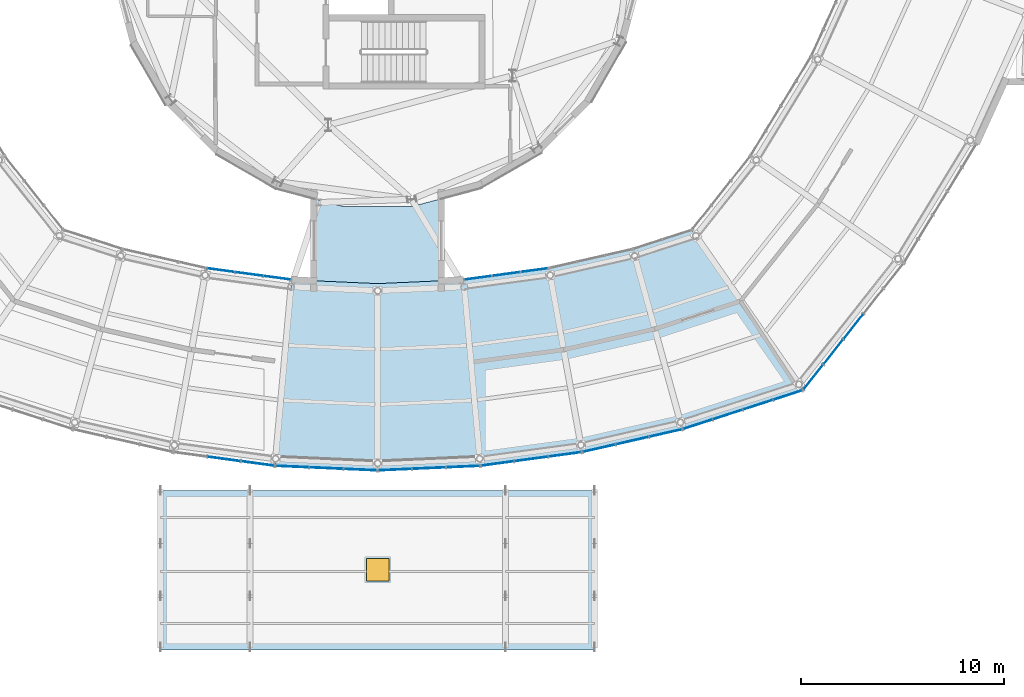
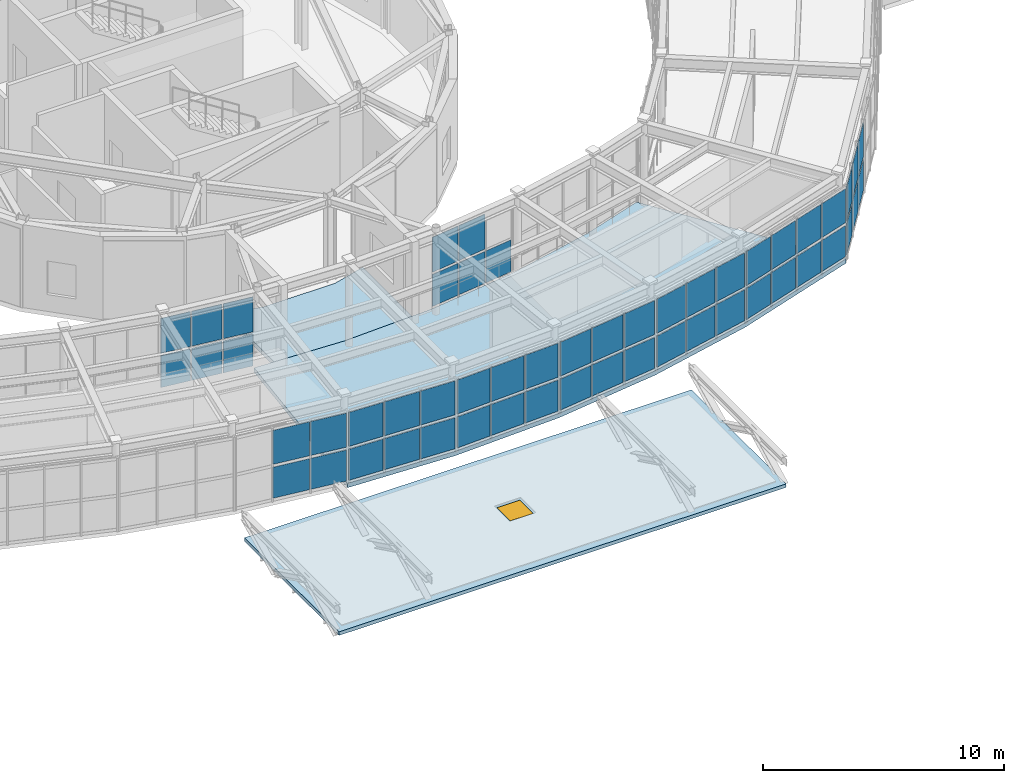
# One storey, part 59 of 103: 53 plates, 3 slabs, 1 door, 1 opening, 9 elements without a shape of their own.
"""IFC4 building model written with IfcOpenShell, lengths in metres."""

import ifcopenshell
import ifcopenshell.guid

model = None  # the IFC model being written
_history = None  # IfcOwnerHistory: only IFC2X3 demands one
_inside = {}  # id of a spatial element -> (the spatial element, [elements in it])
_under = {}  # id of a project, library or spatial element -> (it, [spatial elements below it])
_declared = {}  # id of a project -> (the project, [libraries it declares])
_typed = {}  # id of a type object -> (the type object, [elements of that type])
_made_of = {}  # id of a material, layer set ... -> (it, [elements and type objects made of it])


def new_model(schema):
    """Start an empty IFC model of exactly this schema.

    Asked for "IFC4X3", IfcOpenShell would pick the latest addendum, in which some entities
    have other attributes; the version numbers below select the first issue.
    IFC2X3 requires an IfcOwnerHistory on every rooted entity: one is made here for all.
    """
    global model, _history
    if schema == "IFC4X3":
        model = ifcopenshell.file(schema_version=(4, 3, 0, 0))
    else:
        model = ifcopenshell.file(schema=schema)
    _inside.clear()
    _under.clear()
    _declared.clear()
    _typed.clear()
    _made_of.clear()
    _history = None
    if model.schema == "IFC2X3":
        org = make("IfcOrganization", Name="unknown")
        user = make(
            "IfcPersonAndOrganization",
            ThePerson=make("IfcPerson", FamilyName="unknown"),
            TheOrganization=org,
        )
        app = make(
            "IfcApplication",
            ApplicationDeveloper=org,
            Version="unknown",
            ApplicationFullName="unknown",
            ApplicationIdentifier="unknown",
        )
        _history = make(
            "IfcOwnerHistory",
            OwningUser=user,
            OwningApplication=app,
            ChangeAction="ADDED",
            CreationDate=0,
        )
    return model


def make(cls, **values):
    """One entity of the class cls with the attributes given. An attribute that is None is left unset."""
    return model.create_entity(
        cls, **{name: value for name, value in values.items() if value is not None}
    )


def rooted(cls, **values):
    """An entity with a GlobalId (a new one), such as an element, a storey or a relation."""
    return make(cls, GlobalId=ifcopenshell.guid.new(), OwnerHistory=_history, **values)


def si_unit(unit_type, name, prefix=None):
    """IfcSIUnit, for example si_unit("LENGTHUNIT", "METRE", prefix="MILLI")."""
    return make("IfcSIUnit", UnitType=unit_type, Prefix=prefix, Name=name)


def assignment(units):
    """IfcUnitAssignment: the units of a project."""
    return None if units is None else make("IfcUnitAssignment", Units=units)


def point(xyz):
    """IfcCartesianPoint."""
    return None if xyz is None else make("IfcCartesianPoint", Coordinates=xyz)


def direction(xyz):
    """IfcDirection."""
    return None if xyz is None else make("IfcDirection", DirectionRatios=xyz)


def frame(location, z_axis=None, x_axis=None):
    """IfcAxis2Placement3D, a coordinate frame: its origin and axes. An axis left out is left unset."""
    return make(
        "IfcAxis2Placement3D",
        Location=point(location),
        Axis=direction(z_axis),
        RefDirection=direction(x_axis),
    )


def frame_2d(location, x_axis=None):
    """IfcAxis2Placement2D, a coordinate frame in the plane: its origin and x axis."""
    return make(
        "IfcAxis2Placement2D", Location=point(location), RefDirection=direction(x_axis)
    )


def origin():
    """The frame at (0, 0, 0) with its axes left unset."""
    return frame((0.0, 0.0, 0.0))


def origin_2d():
    """The frame at (0, 0) in the plane with its x axis left unset."""
    return frame_2d((0.0, 0.0))


def place(relative_to, where):
    """IfcLocalPlacement: puts the frame where relative to a parent placement (None: the world)."""
    return make(
        "IfcLocalPlacement", PlacementRelTo=relative_to, RelativePlacement=where
    )


def context(
    kind, dimensions, precision=None, world=None, true_north=None, identifier=None
):
    """IfcGeometricRepresentationContext, for example the 3D "Model" context."""
    return make(
        "IfcGeometricRepresentationContext",
        ContextIdentifier=identifier,
        ContextType=kind,
        CoordinateSpaceDimension=dimensions,
        Precision=precision,
        WorldCoordinateSystem=world,
        TrueNorth=true_north,
    )


def subcontext(parent, identifier, kind, view, scale=None):
    """IfcGeometricRepresentationSubContext, for example "Body" below "Model"."""
    return make(
        "IfcGeometricRepresentationSubContext",
        ContextIdentifier=identifier,
        ContextType=kind,
        ParentContext=parent,
        TargetScale=scale,
        TargetView=view,
    )


def project(units=None, contexts=None):
    """IfcProject with its units and contexts."""
    return rooted(
        "IfcProject",
        Name="project",
        RepresentationContexts=contexts,
        UnitsInContext=assignment(units),
    )


def spatial(cls, under=None, at=None, **own):
    """A site, building, storey or space (cls), placed at a placement, below another one or the project."""
    s = rooted(cls, ObjectPlacement=at, **own)
    if under is not None:
        _under.setdefault(under.id(), (under, []))[1].append(s)
    return s


def polyline(points):
    """IfcPolyline through the points."""
    return make("IfcPolyline", Points=[point(p) for p in points])


def profile(cls, at=None, kind="AREA", **sizes):
    """A parametric profile (cls). Its sizes go by their IFC names, for example OverallWidth=200.0."""
    return make(cls, ProfileType=kind, Position=at, **sizes)


def rectangle(**sizes):
    """IfcRectangleProfileDef."""
    return profile("IfcRectangleProfileDef", **sizes)


def outline(outer, holes=None, kind="AREA"):
    """IfcArbitraryClosedProfileDef: a profile drawn as a closed curve; with holes, ...WithVoids."""
    if holes is None:
        return make("IfcArbitraryClosedProfileDef", ProfileType=kind, OuterCurve=outer)
    return make(
        "IfcArbitraryProfileDefWithVoids",
        ProfileType=kind,
        OuterCurve=outer,
        InnerCurves=holes,
    )


def extrude(swept, where, along, depth):
    """IfcExtrudedAreaSolid: the profile swept, set in the frame where, extruded along a direction by depth."""
    return make(
        "IfcExtrudedAreaSolid",
        SweptArea=swept,
        Position=where,
        ExtrudedDirection=direction(along),
        Depth=depth,
    )


def shape(context_of_items, identifier, shape_type, items):
    """IfcShapeRepresentation: the items that make up one representation, for example the "Body"."""
    return make(
        "IfcShapeRepresentation",
        ContextOfItems=context_of_items,
        RepresentationIdentifier=identifier,
        RepresentationType=shape_type,
        Items=items,
    )


def material(Name=None, Category=None):
    """IfcMaterial."""
    return make("IfcMaterial", Name=Name, Category=Category)


def layer(
    of_material, thickness, ventilated=None, Name=None, Category=None, Priority=None
):
    """IfcMaterialLayer: one layer of a wall or slab, of a material (None: an air gap)."""
    return make(
        "IfcMaterialLayer",
        Material=of_material,
        LayerThickness=thickness,
        IsVentilated=ventilated,
        Name=Name,
        Category=Category,
        Priority=Priority,
    )


def layer_set(layers, Name=None):
    """IfcMaterialLayerSet."""
    return make("IfcMaterialLayerSet", MaterialLayers=layers, LayerSetName=Name)


def made_of(thing, what):
    """Note that an element or type object is made of a material, layer set ...; save() writes the relation."""
    if what is not None:
        _made_of.setdefault(what.id(), (what, []))[1].append(thing)
    return thing


def type_object(cls, material=None, **own):
    """A type object (cls), such as IfcWallType, which elements share."""
    return made_of(rooted(cls, **own), material)


def element(
    cls,
    number,
    at=None,
    inside=None,
    cuts=None,
    type_object=None,
    material=None,
    context=None,
    identifier="Body",
    shape_type=None,
    held_by="IfcProductDefinitionShape",
    body=None,
    shapes=None,
    **own,
):
    """One element of the class cls, such as IfcWall. Its Tag is "e" and its number.

    at: its placement. inside: the storey or other place that contains it. cuts: it is an
    opening in that element (IfcRelVoidsElement). A single representation is given by context,
    identifier, shape_type and body (its items); several are given by shapes. held_by: the class
    of the entity that holds the representations. save() writes the other relations.
    """
    e = rooted(cls, Tag="e%d" % number, ObjectPlacement=at, **own)
    if body is not None:
        shapes = [shape(context, identifier, shape_type, body)]
    if shapes is not None:
        e.Representation = make(held_by, Representations=shapes)
    if inside is not None:
        _inside.setdefault(inside.id(), (inside, []))[1].append(e)
    if cuts is not None:
        rooted(
            "IfcRelVoidsElement", RelatingBuildingElement=cuts, RelatedOpeningElement=e
        )
    if type_object is not None:
        _typed.setdefault(type_object.id(), (type_object, []))[1].append(e)
    return made_of(e, material)


def fill(opening, filler):
    """IfcRelFillsElement: the door or window that sits in an opening."""
    return rooted(
        "IfcRelFillsElement",
        RelatingOpeningElement=opening,
        RelatedBuildingElement=filler,
    )


def aggregate(whole, parts):
    """IfcRelAggregates: a whole, such as a stair, and the parts it consists of."""
    return rooted("IfcRelAggregates", RelatingObject=whole, RelatedObjects=parts)


def save(model, path):
    """Write the relations noted so far, then the file.

    IfcRelAggregates (storeys below a building ...), IfcRelContainedInSpatialStructure (elements
    in a storey), IfcRelDefinesByType, IfcRelAssociatesMaterial and IfcRelDeclares: one each for
    every whole, place, type object, material and project.
    """
    for whole, parts in _under.values():
        aggregate(whole, parts)
    for where, things in _inside.values():
        rooted(
            "IfcRelContainedInSpatialStructure",
            RelatedElements=things,
            RelatingStructure=where,
        )
    for kind, things in _typed.values():
        rooted("IfcRelDefinesByType", RelatedObjects=things, RelatingType=kind)
    for what, things in _made_of.values():
        rooted("IfcRelAssociatesMaterial", RelatedObjects=things, RelatingMaterial=what)
    for by, libraries in _declared.values():
        rooted("IfcRelDeclares", RelatingContext=by, RelatedDefinitions=libraries)
    model.write(path)


model = new_model("IFC4")

# Units and contexts
model_context = context("Model", 3, precision=1e-05, world=origin(), true_north=direction((0.0, 1.0)))
body_context = subcontext(model_context, "Body", "Model", "MODEL_VIEW")
ifc_project = project(units=[si_unit("LENGTHUNIT", "METRE"), si_unit("AREAUNIT", "SQUARE_METRE"), si_unit("VOLUMEUNIT", "CUBIC_METRE"), si_unit("PLANEANGLEUNIT", "RADIAN"), si_unit("MASSUNIT", "GRAM", prefix="KILO")], contexts=[model_context])

# Site, building, storey
site_placement = place(None, origin())
site = spatial("IfcSite", under=ifc_project, at=site_placement, CompositionType="ELEMENT")
building_placement = place(site_placement, origin())
building = spatial("IfcBuilding", under=site, at=building_placement, Name="Varnklinge Art Gallery", CompositionType="ELEMENT")
storey_placement = place(building_placement, frame((0.0, 0.0, 5.10009765625)))
storey = spatial("IfcBuildingStorey", under=building, at=storey_placement, Name="L01", CompositionType="ELEMENT", Elevation=5.10009765625)

# Curtain wall, plates
ifc_material_1 = material(Name="Anodised Aluminium", Category="aluminium")
curtain_wall_type_1 = type_object("IfcCurtainWallType", Name="CW-R04", PredefinedType="USERDEFINED", material=ifc_material_1)
curtain_wall_1_placement = place(storey_placement, origin())
curtain_wall_1 = element("IfcCurtainWall", 1, at=curtain_wall_1_placement, inside=storey, type_object=curtain_wall_type_1, Name="L01 Curtain Wall CW-V2I-L01-35", ObjectType="UNITISED CURTAIN WALL", PredefinedType="USERDEFINED")
ifc_material_2 = material(Name="Insulated Low-E Triple Glazing", Category="glass")
ifc_layer_1 = layer(ifc_material_2, 0.031982421875)
ifc_layer_set_1 = layer_set([ifc_layer_1], Name="Insulated Low-E Triple Glazing")
plate_type_1 = type_object("IfcPlateType", Name="GLZ-32", PredefinedType="CURTAIN_PANEL", material=ifc_layer_set_1)
plate_1_placement = place(storey_placement, frame((70.54638671875, 21.89111328125, 0.11767578125), z_axis=(0.0, 0.0, 1.0), x_axis=(-0.990983199715, 0.133986185418, 0.0)))
plate_1 = element("IfcPlate", 2, at=plate_1_placement, type_object=plate_type_1, Name="CW-V2I-L01-35 Glazing Panel 1.1", PredefinedType="CURTAIN_PANEL", context=body_context, shape_type="SweptSolid", body=[
    extrude(rectangle(XDim=1.328125, YDim=0.031982421875, at=origin_2d()), origin(), (0.0, 0.0, 1.0), 1.614501953125),
])
plate_2_placement = place(storey_placement, frame((70.54638671875, 21.89111328125, 1.84814453125), z_axis=(0.0, 0.0, 1.0), x_axis=(-0.990983199715, 0.133986185418, 0.0)))
plate_2 = element("IfcPlate", 3, at=plate_2_placement, type_object=plate_type_1, Name="CW-V2I-L01-35 Glazing Panel 1.2", PredefinedType="CURTAIN_PANEL", context=body_context, shape_type="SweptSolid", body=[
    extrude(rectangle(XDim=1.328125, YDim=0.031982421875, at=origin_2d()), origin(), (0.0, 0.0, 1.0), 1.763671875),
])
plate_3_placement = place(storey_placement, frame((69.159912109375, 22.07861328125, 0.11767578125), z_axis=(0.0, 0.0, 1.0), x_axis=(-0.990983199715, 0.133986185418, 0.0)))
plate_3 = element("IfcPlate", 4, at=plate_3_placement, type_object=plate_type_1, Name="CW-V2I-L01-35 Glazing Panel 2.1", PredefinedType="CURTAIN_PANEL", context=body_context, shape_type="SweptSolid", body=[
    extrude(rectangle(XDim=1.358154296875, YDim=0.031982421875, at=origin_2d()), origin(), (0.0, 0.0, 1.0), 1.614501953125),
])
plate_4_placement = place(storey_placement, frame((69.159912109375, 22.07861328125, 1.84814453125), z_axis=(0.0, 0.0, 1.0), x_axis=(-0.990983199715, 0.133986185418, 0.0)))
plate_4 = element("IfcPlate", 5, at=plate_4_placement, type_object=plate_type_1, Name="CW-V2I-L01-35 Glazing Panel 2.2", PredefinedType="CURTAIN_PANEL", context=body_context, shape_type="SweptSolid", body=[
    extrude(rectangle(XDim=1.358154296875, YDim=0.031982421875, at=origin_2d()), origin(), (0.0, 0.0, 1.0), 1.763671875),
])
plate_5_placement = place(storey_placement, frame((67.7734375, 22.265869140625, 0.11767578125), z_axis=(0.0, 0.0, 1.0), x_axis=(-0.990983199715, 0.133986185418, 0.0)))
plate_5 = element("IfcPlate", 6, at=plate_5_placement, type_object=plate_type_1, Name="CW-V2I-L01-35 Glazing Panel 3.1", PredefinedType="CURTAIN_PANEL", context=body_context, shape_type="SweptSolid", body=[
    extrude(rectangle(XDim=1.328125, YDim=0.031982421875, at=origin_2d()), origin(), (0.0, 0.0, 1.0), 1.614501953125),
])
plate_6_placement = place(storey_placement, frame((67.7734375, 22.265869140625, 1.84814453125), z_axis=(0.0, 0.0, 1.0), x_axis=(-0.990983199715, 0.133986185418, 0.0)))
plate_6 = element("IfcPlate", 7, at=plate_6_placement, type_object=plate_type_1, Name="CW-V2I-L01-35 Glazing Panel 3.2", PredefinedType="CURTAIN_PANEL", context=body_context, shape_type="SweptSolid", body=[
    extrude(rectangle(XDim=1.328125, YDim=0.031982421875, at=origin_2d()), origin(), (0.0, 0.0, 1.0), 1.763671875),
])
aggregate(curtain_wall_1, [plate_1, plate_2, plate_3, plate_4, plate_5, plate_6])

curtain_wall_2_placement = place(storey_placement, origin())
curtain_wall_2 = element("IfcCurtainWall", 8, at=curtain_wall_2_placement, inside=storey, type_object=curtain_wall_type_1, Name="L01 Curtain Wall CW-V2I-L01-38", ObjectType="UNITISED CURTAIN WALL", PredefinedType="USERDEFINED")
plate_7_placement = place(storey_placement, frame((83.2265625, 22.265869140625, 0.11767578125), z_axis=(0.0, 0.0, 1.0), x_axis=(-0.990983199715, -0.133986185418, 0.0)))
plate_7 = element("IfcPlate", 9, at=plate_7_placement, type_object=plate_type_1, Name="CW-V2I-L01-38 Glazing Panel 1.1", PredefinedType="CURTAIN_PANEL", context=body_context, shape_type="SweptSolid", body=[
    extrude(rectangle(XDim=1.328125, YDim=0.031982421875, at=origin_2d()), origin(), (0.0, 0.0, 1.0), 1.614501953125),
])
plate_8_placement = place(storey_placement, frame((81.840087890625, 22.07861328125, 0.11767578125), z_axis=(0.0, 0.0, 1.0), x_axis=(-0.990983199715, -0.133986185418, 0.0)))
plate_8 = element("IfcPlate", 10, at=plate_8_placement, type_object=plate_type_1, Name="CW-V2I-L01-38 Glazing Panel 2.1", PredefinedType="CURTAIN_PANEL", context=body_context, shape_type="SweptSolid", body=[
    extrude(rectangle(XDim=1.358154296875, YDim=0.031982421875, at=origin_2d()), origin(), (0.0, 0.0, 1.0), 1.614501953125),
])
plate_9_placement = place(storey_placement, frame((81.840087890625, 22.07861328125, 1.84814453125), z_axis=(0.0, 0.0, 1.0), x_axis=(-0.990983199715, -0.133986185418, 0.0)))
plate_9 = element("IfcPlate", 11, at=plate_9_placement, type_object=plate_type_1, Name="CW-V2I-L01-38 Glazing Panel 2.2", PredefinedType="CURTAIN_PANEL", context=body_context, shape_type="SweptSolid", body=[
    extrude(rectangle(XDim=1.358154296875, YDim=0.031982421875, at=origin_2d()), origin(), (0.0, 0.0, 1.0), 1.763671875),
])
plate_10_placement = place(storey_placement, frame((80.45361328125, 21.89111328125, 0.11767578125), z_axis=(0.0, 0.0, 1.0), x_axis=(-0.990983199715, -0.133986185418, 0.0)))
plate_10 = element("IfcPlate", 12, at=plate_10_placement, type_object=plate_type_1, Name="CW-V2I-L01-38 Glazing Panel 3.1", PredefinedType="CURTAIN_PANEL", context=body_context, shape_type="SweptSolid", body=[
    extrude(rectangle(XDim=1.328125, YDim=0.031982421875, at=origin_2d()), origin(), (0.0, 0.0, 1.0), 1.614501953125),
])
plate_11_placement = place(storey_placement, frame((80.45361328125, 21.89111328125, 1.84814453125), z_axis=(0.0, 0.0, 1.0), x_axis=(-0.990983199715, -0.133986185418, 0.0)))
plate_11 = element("IfcPlate", 13, at=plate_11_placement, type_object=plate_type_1, Name="CW-V2I-L01-38 Glazing Panel 3.2", PredefinedType="CURTAIN_PANEL", context=body_context, shape_type="SweptSolid", body=[
    extrude(rectangle(XDim=1.328125, YDim=0.031982421875, at=origin_2d()), origin(), (0.0, 0.0, 1.0), 1.763671875),
])
aggregate(curtain_wall_2, [plate_7, plate_8, plate_9, plate_10, plate_11])

ifc_material_3 = material(Name="Anodised Aluminium", Category="aluminium")
curtain_wall_type_2 = type_object("IfcCurtainWallType", Name="CW-R02", PredefinedType="USERDEFINED", material=ifc_material_3)
curtain_wall_3_placement = place(storey_placement, origin())
curtain_wall_3 = element("IfcCurtainWall", 14, at=curtain_wall_3_placement, inside=storey, type_object=curtain_wall_type_2, Name="L01 Curtain Wall CW-V2O-L01-01", ObjectType="UNITISED CURTAIN WALL", PredefinedType="USERDEFINED")
ifc_material_4 = material(Name="Insulated Low-E Triple Glazing", Category="glass")
ifc_layer_2 = layer(ifc_material_4, 0.0380859375)
ifc_layer_set_2 = layer_set([ifc_layer_2], Name="Insulated Low-E Triple Glazing")
plate_type_2 = type_object("IfcPlateType", Name="GLZ-38", PredefinedType="CURTAIN_PANEL", material=ifc_layer_set_2)
plate_12_placement = place(storey_placement, frame((96.977294921875, 16.992919921875, 0.14794921875), z_axis=(0.0, 0.0, 1.0), x_axis=(0.620737354217, 0.784018582101, 0.0)))
plate_12 = element("IfcPlate", 15, at=plate_12_placement, type_object=plate_type_2, Name="CW-V2O-L01-01 Glazing Panel 1.1", PredefinedType="CURTAIN_PANEL", context=body_context, shape_type="SweptSolid", body=[
    extrude(rectangle(XDim=1.506591796875, YDim=0.0380859375, at=origin_2d()), origin(), (0.0, 0.0, 1.0), 1.5693359375),
])
plate_13_placement = place(storey_placement, frame((96.977294921875, 16.992919921875, 1.86328125), z_axis=(0.0, 0.0, 1.0), x_axis=(0.620737354217, 0.784018582101, 0.0)))
plate_13 = element("IfcPlate", 16, at=plate_13_placement, type_object=plate_type_2, Name="CW-V2O-L01-01 Glazing Panel 1.2", PredefinedType="CURTAIN_PANEL", context=body_context, shape_type="SweptSolid", body=[
    extrude(rectangle(XDim=1.506591796875, YDim=0.0380859375, at=origin_2d()), origin(), (0.0, 0.0, 1.0), 1.718505859375),
])
plate_14_placement = place(storey_placement, frame((97.96044921875, 18.234619140625, 0.14794921875), z_axis=(0.0, 0.0, 1.0), x_axis=(0.620737354217, 0.784018582101, 0.0)))
plate_14 = element("IfcPlate", 17, at=plate_14_placement, type_object=plate_type_2, Name="CW-V2O-L01-01 Glazing Panel 2.1", PredefinedType="CURTAIN_PANEL", context=body_context, shape_type="SweptSolid", body=[
    extrude(rectangle(XDim=1.5390625, YDim=0.0380859375, at=origin_2d()), origin(), (0.0, 0.0, 1.0), 1.5693359375),
])
plate_15_placement = place(storey_placement, frame((97.96044921875, 18.234619140625, 1.86328125), z_axis=(0.0, 0.0, 1.0), x_axis=(0.620737354217, 0.784018582101, 0.0)))
plate_15 = element("IfcPlate", 18, at=plate_15_placement, type_object=plate_type_2, Name="CW-V2O-L01-01 Glazing Panel 2.2", PredefinedType="CURTAIN_PANEL", context=body_context, shape_type="SweptSolid", body=[
    extrude(rectangle(XDim=1.5390625, YDim=0.0380859375, at=origin_2d()), origin(), (0.0, 0.0, 1.0), 1.718505859375),
])
plate_16_placement = place(storey_placement, frame((98.953857421875, 19.489013671875, 0.14794921875), z_axis=(0.0, 0.0, 1.0), x_axis=(0.620737354217, 0.784018582101, 0.0)))
plate_16 = element("IfcPlate", 19, at=plate_16_placement, type_object=plate_type_2, Name="CW-V2O-L01-01 Glazing Panel 3.1", PredefinedType="CURTAIN_PANEL", context=body_context, shape_type="SweptSolid", body=[
    extrude(rectangle(XDim=1.5390625, YDim=0.0380859375, at=origin_2d()), origin(), (0.0, 0.0, 1.0), 1.5693359375),
])
plate_17_placement = place(storey_placement, frame((98.953857421875, 19.489013671875, 1.86328125), z_axis=(0.0, 0.0, 1.0), x_axis=(0.620737354217, 0.784018582101, 0.0)))
plate_17 = element("IfcPlate", 20, at=plate_17_placement, type_object=plate_type_2, Name="CW-V2O-L01-01 Glazing Panel 3.2", PredefinedType="CURTAIN_PANEL", context=body_context, shape_type="SweptSolid", body=[
    extrude(rectangle(XDim=1.5390625, YDim=0.0380859375, at=origin_2d()), origin(), (0.0, 0.0, 1.0), 1.718505859375),
])
aggregate(curtain_wall_3, [plate_12, plate_13, plate_14, plate_15, plate_16, plate_17])

curtain_wall_4_placement = place(storey_placement, origin())
curtain_wall_4 = element("IfcCurtainWall", 21, at=curtain_wall_4_placement, inside=storey, type_object=curtain_wall_type_1, Name="L01 Curtain Wall CW-V2O-L01-35", ObjectType="UNITISED CURTAIN WALL", PredefinedType="USERDEFINED")
plate_18_placement = place(storey_placement, frame((67.927978515625, 12.961181640625, 0.14794921875), z_axis=(0.0, 0.0, 1.0), x_axis=(0.990983199715, -0.133986185418, 0.0)))
plate_18 = element("IfcPlate", 22, at=plate_18_placement, type_object=plate_type_2, Name="CW-V2O-L01-35 Glazing Panel 2.1", PredefinedType="CURTAIN_PANEL", context=body_context, shape_type="SweptSolid", body=[
    extrude(rectangle(XDim=1.627685546875, YDim=0.0380859375, at=origin_2d()), origin(), (0.0, 0.0, 1.0), 1.5693359375),
])
plate_19_placement = place(storey_placement, frame((67.927978515625, 12.961181640625, 1.86328125), z_axis=(0.0, 0.0, 1.0), x_axis=(0.990983199715, -0.133986185418, 0.0)))
plate_19 = element("IfcPlate", 23, at=plate_19_placement, type_object=plate_type_2, Name="CW-V2O-L01-35 Glazing Panel 2.2", PredefinedType="CURTAIN_PANEL", context=body_context, shape_type="SweptSolid", body=[
    extrude(rectangle(XDim=1.627685546875, YDim=0.0380859375, at=origin_2d()), origin(), (0.0, 0.0, 1.0), 1.718505859375),
])
plate_20_placement = place(storey_placement, frame((69.58544921875, 12.7373046875, 0.14794921875), z_axis=(0.0, 0.0, 1.0), x_axis=(0.990983199715, -0.133986185418, 0.0)))
plate_20 = element("IfcPlate", 24, at=plate_20_placement, type_object=plate_type_2, Name="CW-V2O-L01-35 Glazing Panel 3.1", PredefinedType="CURTAIN_PANEL", context=body_context, shape_type="SweptSolid", body=[
    extrude(rectangle(XDim=1.59521484375, YDim=0.0380859375, at=origin_2d()), origin(), (0.0, 0.0, 1.0), 1.5693359375),
])
plate_21_placement = place(storey_placement, frame((69.58544921875, 12.7373046875, 1.86328125), z_axis=(0.0, 0.0, 1.0), x_axis=(0.990983199715, -0.133986185418, 0.0)))
plate_21 = element("IfcPlate", 25, at=plate_21_placement, type_object=plate_type_2, Name="CW-V2O-L01-35 Glazing Panel 3.2", PredefinedType="CURTAIN_PANEL", context=body_context, shape_type="SweptSolid", body=[
    extrude(rectangle(XDim=1.59521484375, YDim=0.0380859375, at=origin_2d()), origin(), (0.0, 0.0, 1.0), 1.718505859375),
])
aggregate(curtain_wall_4, [plate_18, plate_19, plate_20, plate_21])

curtain_wall_5_placement = place(storey_placement, origin())
curtain_wall_5 = element("IfcCurtainWall", 26, at=curtain_wall_5_placement, inside=storey, type_object=curtain_wall_type_1, Name="L01 Curtain Wall CW-V2O-L01-36", ObjectType="UNITISED CURTAIN WALL", PredefinedType="USERDEFINED")
plate_22_placement = place(storey_placement, frame((71.298095703125, 12.58349609375, 0.14794921875), z_axis=(0.0, 0.0, 1.0), x_axis=(0.999001995685, -0.044665564108, 0.0)))
plate_22 = element("IfcPlate", 27, at=plate_22_placement, type_object=plate_type_2, Name="CW-V2O-L01-36 Glazing Panel 1.1", PredefinedType="CURTAIN_PANEL", context=body_context, shape_type="SweptSolid", body=[
    extrude(rectangle(XDim=1.595458984375, YDim=0.0380859375, at=origin_2d()), origin(), (0.0, 0.0, 1.0), 1.5693359375),
])
plate_23_placement = place(storey_placement, frame((71.298095703125, 12.58349609375, 1.86328125), z_axis=(0.0, 0.0, 1.0), x_axis=(0.999001995685, -0.044665564108, 0.0)))
plate_23 = element("IfcPlate", 28, at=plate_23_placement, type_object=plate_type_2, Name="CW-V2O-L01-36 Glazing Panel 1.2", PredefinedType="CURTAIN_PANEL", context=body_context, shape_type="SweptSolid", body=[
    extrude(rectangle(XDim=1.595458984375, YDim=0.0380859375, at=origin_2d()), origin(), (0.0, 0.0, 1.0), 1.718505859375),
])
plate_24_placement = place(storey_placement, frame((72.96923828125, 12.5087890625, 0.14794921875), z_axis=(0.0, 0.0, 1.0), x_axis=(0.999001995685, -0.044665564108, 0.0)))
plate_24 = element("IfcPlate", 29, at=plate_24_placement, type_object=plate_type_2, Name="CW-V2O-L01-36 Glazing Panel 2.1", PredefinedType="CURTAIN_PANEL", context=body_context, shape_type="SweptSolid", body=[
    extrude(rectangle(XDim=1.6279296875, YDim=0.0380859375, at=origin_2d()), origin(), (0.0, 0.0, 1.0), 1.5693359375),
])
plate_25_placement = place(storey_placement, frame((72.96923828125, 12.5087890625, 1.86328125), z_axis=(0.0, 0.0, 1.0), x_axis=(0.999001995685, -0.044665564108, 0.0)))
plate_25 = element("IfcPlate", 30, at=plate_25_placement, type_object=plate_type_2, Name="CW-V2O-L01-36 Glazing Panel 2.2", PredefinedType="CURTAIN_PANEL", context=body_context, shape_type="SweptSolid", body=[
    extrude(rectangle(XDim=1.6279296875, YDim=0.0380859375, at=origin_2d()), origin(), (0.0, 0.0, 1.0), 1.718505859375),
])
plate_26_placement = place(storey_placement, frame((74.64013671875, 12.433837890625, 0.14794921875), z_axis=(0.0, 0.0, 1.0), x_axis=(0.999001995685, -0.044665564108, 0.0)))
plate_26 = element("IfcPlate", 31, at=plate_26_placement, type_object=plate_type_2, Name="CW-V2O-L01-36 Glazing Panel 3.1", PredefinedType="CURTAIN_PANEL", context=body_context, shape_type="SweptSolid", body=[
    extrude(rectangle(XDim=1.595458984375, YDim=0.0380859375, at=origin_2d()), origin(), (0.0, 0.0, 1.0), 1.5693359375),
])
plate_27_placement = place(storey_placement, frame((74.64013671875, 12.433837890625, 1.86328125), z_axis=(0.0, 0.0, 1.0), x_axis=(0.999001995685, -0.044665564108, 0.0)))
plate_27 = element("IfcPlate", 32, at=plate_27_placement, type_object=plate_type_2, Name="CW-V2O-L01-36 Glazing Panel 3.2", PredefinedType="CURTAIN_PANEL", context=body_context, shape_type="SweptSolid", body=[
    extrude(rectangle(XDim=1.595458984375, YDim=0.0380859375, at=origin_2d()), origin(), (0.0, 0.0, 1.0), 1.718505859375),
])
aggregate(curtain_wall_5, [plate_22, plate_23, plate_24, plate_25, plate_26, plate_27])

curtain_wall_6_placement = place(storey_placement, origin())
curtain_wall_6 = element("IfcCurtainWall", 33, at=curtain_wall_6_placement, inside=storey, type_object=curtain_wall_type_1, Name="L01 Curtain Wall CW-V2O-L01-37", ObjectType="UNITISED CURTAIN WALL", PredefinedType="USERDEFINED")
plate_28_placement = place(storey_placement, frame((76.35986328125, 12.433837890625, 0.14794921875), z_axis=(0.0, 0.0, 1.0), x_axis=(0.999001995685, 0.044665564108, 0.0)))
plate_28 = element("IfcPlate", 34, at=plate_28_placement, type_object=plate_type_2, Name="CW-V2O-L01-37 Glazing Panel 1.1", PredefinedType="CURTAIN_PANEL", context=body_context, shape_type="SweptSolid", body=[
    extrude(rectangle(XDim=1.595458984375, YDim=0.0380859375, at=origin_2d()), origin(), (0.0, 0.0, 1.0), 1.5693359375),
])
plate_29_placement = place(storey_placement, frame((76.35986328125, 12.433837890625, 1.86328125), z_axis=(0.0, 0.0, 1.0), x_axis=(0.999001995685, 0.044665564108, 0.0)))
plate_29 = element("IfcPlate", 35, at=plate_29_placement, type_object=plate_type_2, Name="CW-V2O-L01-37 Glazing Panel 1.2", PredefinedType="CURTAIN_PANEL", context=body_context, shape_type="SweptSolid", body=[
    extrude(rectangle(XDim=1.595458984375, YDim=0.0380859375, at=origin_2d()), origin(), (0.0, 0.0, 1.0), 1.718505859375),
])
plate_30_placement = place(storey_placement, frame((78.03076171875, 12.5087890625, 0.14794921875), z_axis=(0.0, 0.0, 1.0), x_axis=(0.999001995685, 0.044665564108, 0.0)))
plate_30 = element("IfcPlate", 36, at=plate_30_placement, type_object=plate_type_2, Name="CW-V2O-L01-37 Glazing Panel 2.1", PredefinedType="CURTAIN_PANEL", context=body_context, shape_type="SweptSolid", body=[
    extrude(rectangle(XDim=1.6279296875, YDim=0.0380859375, at=origin_2d()), origin(), (0.0, 0.0, 1.0), 1.5693359375),
])
plate_31_placement = place(storey_placement, frame((78.03076171875, 12.5087890625, 1.86328125), z_axis=(0.0, 0.0, 1.0), x_axis=(0.999001995685, 0.044665564108, 0.0)))
plate_31 = element("IfcPlate", 37, at=plate_31_placement, type_object=plate_type_2, Name="CW-V2O-L01-37 Glazing Panel 2.2", PredefinedType="CURTAIN_PANEL", context=body_context, shape_type="SweptSolid", body=[
    extrude(rectangle(XDim=1.6279296875, YDim=0.0380859375, at=origin_2d()), origin(), (0.0, 0.0, 1.0), 1.718505859375),
])
plate_32_placement = place(storey_placement, frame((79.701904296875, 12.58349609375, 0.14794921875), z_axis=(0.0, 0.0, 1.0), x_axis=(0.999001995685, 0.044665564108, 0.0)))
plate_32 = element("IfcPlate", 38, at=plate_32_placement, type_object=plate_type_2, Name="CW-V2O-L01-37 Glazing Panel 3.1", PredefinedType="CURTAIN_PANEL", context=body_context, shape_type="SweptSolid", body=[
    extrude(rectangle(XDim=1.595458984375, YDim=0.0380859375, at=origin_2d()), origin(), (0.0, 0.0, 1.0), 1.5693359375),
])
plate_33_placement = place(storey_placement, frame((79.701904296875, 12.58349609375, 1.86328125), z_axis=(0.0, 0.0, 1.0), x_axis=(0.999001995685, 0.044665564108, 0.0)))
plate_33 = element("IfcPlate", 39, at=plate_33_placement, type_object=plate_type_2, Name="CW-V2O-L01-37 Glazing Panel 3.2", PredefinedType="CURTAIN_PANEL", context=body_context, shape_type="SweptSolid", body=[
    extrude(rectangle(XDim=1.595458984375, YDim=0.0380859375, at=origin_2d()), origin(), (0.0, 0.0, 1.0), 1.718505859375),
])
aggregate(curtain_wall_6, [plate_28, plate_29, plate_30, plate_31, plate_32, plate_33])

curtain_wall_7_placement = place(storey_placement, origin())
curtain_wall_7 = element("IfcCurtainWall", 40, at=curtain_wall_7_placement, inside=storey, type_object=curtain_wall_type_1, Name="L01 Curtain Wall CW-V2O-L01-38", ObjectType="UNITISED CURTAIN WALL", PredefinedType="USERDEFINED")
plate_34_placement = place(storey_placement, frame((81.41455078125, 12.7373046875, 0.14794921875), z_axis=(0.0, 0.0, 1.0), x_axis=(0.990983199715, 0.133986185418, 0.0)))
plate_34 = element("IfcPlate", 41, at=plate_34_placement, type_object=plate_type_2, Name="CW-V2O-L01-38 Glazing Panel 1.1", PredefinedType="CURTAIN_PANEL", context=body_context, shape_type="SweptSolid", body=[
    extrude(rectangle(XDim=1.59521484375, YDim=0.0380859375, at=origin_2d()), origin(), (0.0, 0.0, 1.0), 1.5693359375),
])
plate_35_placement = place(storey_placement, frame((81.41455078125, 12.7373046875, 1.86328125), z_axis=(0.0, 0.0, 1.0), x_axis=(0.990983199715, 0.133986185418, 0.0)))
plate_35 = element("IfcPlate", 42, at=plate_35_placement, type_object=plate_type_2, Name="CW-V2O-L01-38 Glazing Panel 1.2", PredefinedType="CURTAIN_PANEL", context=body_context, shape_type="SweptSolid", body=[
    extrude(rectangle(XDim=1.59521484375, YDim=0.0380859375, at=origin_2d()), origin(), (0.0, 0.0, 1.0), 1.718505859375),
])
plate_36_placement = place(storey_placement, frame((83.072021484375, 12.961181640625, 0.14794921875), z_axis=(0.0, 0.0, 1.0), x_axis=(0.990983199715, 0.133986185418, 0.0)))
plate_36 = element("IfcPlate", 43, at=plate_36_placement, type_object=plate_type_2, Name="CW-V2O-L01-38 Glazing Panel 2.1", PredefinedType="CURTAIN_PANEL", context=body_context, shape_type="SweptSolid", body=[
    extrude(rectangle(XDim=1.627685546875, YDim=0.0380859375, at=origin_2d()), origin(), (0.0, 0.0, 1.0), 1.5693359375),
])
plate_37_placement = place(storey_placement, frame((83.072021484375, 12.961181640625, 1.86328125), z_axis=(0.0, 0.0, 1.0), x_axis=(0.990983199715, 0.133986185418, 0.0)))
plate_37 = element("IfcPlate", 44, at=plate_37_placement, type_object=plate_type_2, Name="CW-V2O-L01-38 Glazing Panel 2.2", PredefinedType="CURTAIN_PANEL", context=body_context, shape_type="SweptSolid", body=[
    extrude(rectangle(XDim=1.627685546875, YDim=0.0380859375, at=origin_2d()), origin(), (0.0, 0.0, 1.0), 1.718505859375),
])
plate_38_placement = place(storey_placement, frame((84.7294921875, 13.185302734375, 0.14794921875), z_axis=(0.0, 0.0, 1.0), x_axis=(0.990983199715, 0.133986185418, 0.0)))
plate_38 = element("IfcPlate", 45, at=plate_38_placement, type_object=plate_type_2, Name="CW-V2O-L01-38 Glazing Panel 3.1", PredefinedType="CURTAIN_PANEL", context=body_context, shape_type="SweptSolid", body=[
    extrude(rectangle(XDim=1.59521484375, YDim=0.0380859375, at=origin_2d()), origin(), (0.0, 0.0, 1.0), 1.5693359375),
])
plate_39_placement = place(storey_placement, frame((84.7294921875, 13.185302734375, 1.86328125), z_axis=(0.0, 0.0, 1.0), x_axis=(0.990983199715, 0.133986185418, 0.0)))
plate_39 = element("IfcPlate", 46, at=plate_39_placement, type_object=plate_type_2, Name="CW-V2O-L01-38 Glazing Panel 3.2", PredefinedType="CURTAIN_PANEL", context=body_context, shape_type="SweptSolid", body=[
    extrude(rectangle(XDim=1.59521484375, YDim=0.0380859375, at=origin_2d()), origin(), (0.0, 0.0, 1.0), 1.718505859375),
])
aggregate(curtain_wall_7, [plate_34, plate_35, plate_36, plate_37, plate_38, plate_39])

curtain_wall_8_placement = place(storey_placement, origin())
curtain_wall_8 = element("IfcCurtainWall", 47, at=curtain_wall_8_placement, inside=storey, type_object=curtain_wall_type_1, Name="L01 Curtain Wall CW-V2O-L01-39", ObjectType="UNITISED CURTAIN WALL", PredefinedType="USERDEFINED")
plate_40_placement = place(storey_placement, frame((86.421630859375, 13.49169921875, 0.14794921875), z_axis=(0.0, 0.0, 1.0), x_axis=(0.975071959883, 0.221888875454, 0.0)))
plate_40 = element("IfcPlate", 48, at=plate_40_placement, type_object=plate_type_2, Name="CW-V2O-L01-39 Glazing Panel 1.1", PredefinedType="CURTAIN_PANEL", context=body_context, shape_type="SweptSolid", body=[
    extrude(rectangle(XDim=1.59521484375, YDim=0.0380859375, at=origin_2d()), origin(), (0.0, 0.0, 1.0), 1.5693359375),
])
plate_41_placement = place(storey_placement, frame((86.421630859375, 13.49169921875, 1.86328125), z_axis=(0.0, 0.0, 1.0), x_axis=(0.975071959883, 0.221888875454, 0.0)))
plate_41 = element("IfcPlate", 49, at=plate_41_placement, type_object=plate_type_2, Name="CW-V2O-L01-39 Glazing Panel 1.2", PredefinedType="CURTAIN_PANEL", context=body_context, shape_type="SweptSolid", body=[
    extrude(rectangle(XDim=1.59521484375, YDim=0.0380859375, at=origin_2d()), origin(), (0.0, 0.0, 1.0), 1.718505859375),
])
plate_42_placement = place(storey_placement, frame((88.052490234375, 13.86279296875, 0.14794921875), z_axis=(0.0, 0.0, 1.0), x_axis=(0.975071959883, 0.221888875454, 0.0)))
plate_42 = element("IfcPlate", 50, at=plate_42_placement, type_object=plate_type_2, Name="CW-V2O-L01-39 Glazing Panel 2.1", PredefinedType="CURTAIN_PANEL", context=body_context, shape_type="SweptSolid", body=[
    extrude(rectangle(XDim=1.627685546875, YDim=0.0380859375, at=origin_2d()), origin(), (0.0, 0.0, 1.0), 1.5693359375),
])
plate_43_placement = place(storey_placement, frame((88.052490234375, 13.86279296875, 1.86328125), z_axis=(0.0, 0.0, 1.0), x_axis=(0.975071959883, 0.221888875454, 0.0)))
plate_43 = element("IfcPlate", 51, at=plate_43_placement, type_object=plate_type_2, Name="CW-V2O-L01-39 Glazing Panel 2.2", PredefinedType="CURTAIN_PANEL", context=body_context, shape_type="SweptSolid", body=[
    extrude(rectangle(XDim=1.627685546875, YDim=0.0380859375, at=origin_2d()), origin(), (0.0, 0.0, 1.0), 1.718505859375),
])
plate_44_placement = place(storey_placement, frame((89.683349609375, 14.234130859375, 0.14794921875), z_axis=(0.0, 0.0, 1.0), x_axis=(0.975071959883, 0.221888875454, 0.0)))
plate_44 = element("IfcPlate", 52, at=plate_44_placement, type_object=plate_type_2, Name="CW-V2O-L01-39 Glazing Panel 3.1", PredefinedType="CURTAIN_PANEL", context=body_context, shape_type="SweptSolid", body=[
    extrude(rectangle(XDim=1.59521484375, YDim=0.0380859375, at=origin_2d()), origin(), (0.0, 0.0, 1.0), 1.5693359375),
])
plate_45_placement = place(storey_placement, frame((89.683349609375, 14.234130859375, 1.86328125), z_axis=(0.0, 0.0, 1.0), x_axis=(0.975071959883, 0.221888875454, 0.0)))
plate_45 = element("IfcPlate", 53, at=plate_45_placement, type_object=plate_type_2, Name="CW-V2O-L01-39 Glazing Panel 3.2", PredefinedType="CURTAIN_PANEL", context=body_context, shape_type="SweptSolid", body=[
    extrude(rectangle(XDim=1.59521484375, YDim=0.0380859375, at=origin_2d()), origin(), (0.0, 0.0, 1.0), 1.718505859375),
])
aggregate(curtain_wall_8, [plate_40, plate_41, plate_42, plate_43, plate_44, plate_45])

curtain_wall_9_placement = place(storey_placement, origin())
curtain_wall_9 = element("IfcCurtainWall", 54, at=curtain_wall_9_placement, inside=storey, type_object=curtain_wall_type_2, Name="L01 Curtain Wall CW-V2O-L01-40", ObjectType="UNITISED CURTAIN WALL", PredefinedType="USERDEFINED")
plate_46_placement = place(storey_placement, frame((91.281494140625, 14.671142578125, 0.14794921875), z_axis=(0.0, 0.0, 1.0), x_axis=(0.951272019071, 0.30835295642, 0.0)))
plate_46 = element("IfcPlate", 55, at=plate_46_placement, type_object=plate_type_2, Name="CW-V2O-L01-40 Glazing Panel 1.1", PredefinedType="CURTAIN_PANEL", context=body_context, shape_type="SweptSolid", body=[
    extrude(rectangle(XDim=1.469482421875, YDim=0.0380859375, at=origin_2d()), origin(), (0.0, 0.0, 1.0), 1.5693359375),
])
plate_47_placement = place(storey_placement, frame((91.281494140625, 14.671142578125, 1.86328125), z_axis=(0.0, 0.0, 1.0), x_axis=(0.951272019071, 0.30835295642, 0.0)))
plate_47 = element("IfcPlate", 56, at=plate_47_placement, type_object=plate_type_2, Name="CW-V2O-L01-40 Glazing Panel 1.2", PredefinedType="CURTAIN_PANEL", context=body_context, shape_type="SweptSolid", body=[
    extrude(rectangle(XDim=1.469482421875, YDim=0.0380859375, at=origin_2d()), origin(), (0.0, 0.0, 1.0), 1.718505859375),
])
plate_48_placement = place(storey_placement, frame((92.753173828125, 15.14794921875, 0.14794921875), z_axis=(0.0, 0.0, 1.0), x_axis=(0.951272019071, 0.30835295642, 0.0)))
plate_48 = element("IfcPlate", 57, at=plate_48_placement, type_object=plate_type_2, Name="CW-V2O-L01-40 Glazing Panel 2.1", PredefinedType="CURTAIN_PANEL", context=body_context, shape_type="SweptSolid", body=[
    extrude(rectangle(XDim=1.502197265625, YDim=0.0380859375, at=origin_2d()), origin(), (0.0, 0.0, 1.0), 1.5693359375),
])
plate_49_placement = place(storey_placement, frame((92.753173828125, 15.14794921875, 1.86328125), z_axis=(0.0, 0.0, 1.0), x_axis=(0.951272019071, 0.30835295642, 0.0)))
plate_49 = element("IfcPlate", 58, at=plate_49_placement, type_object=plate_type_2, Name="CW-V2O-L01-40 Glazing Panel 2.2", PredefinedType="CURTAIN_PANEL", context=body_context, shape_type="SweptSolid", body=[
    extrude(rectangle(XDim=1.502197265625, YDim=0.0380859375, at=origin_2d()), origin(), (0.0, 0.0, 1.0), 1.718505859375),
])
plate_50_placement = place(storey_placement, frame((94.239990234375, 15.6298828125, 0.14794921875), z_axis=(0.0, 0.0, 1.0), x_axis=(0.951272019071, 0.30835295642, 0.0)))
plate_50 = element("IfcPlate", 59, at=plate_50_placement, type_object=plate_type_2, Name="CW-V2O-L01-40 Glazing Panel 3.1", PredefinedType="CURTAIN_PANEL", context=body_context, shape_type="SweptSolid", body=[
    extrude(rectangle(XDim=1.502197265625, YDim=0.0380859375, at=origin_2d()), origin(), (0.0, 0.0, 1.0), 1.5693359375),
])
plate_51_placement = place(storey_placement, frame((94.239990234375, 15.6298828125, 1.86328125), z_axis=(0.0, 0.0, 1.0), x_axis=(0.951272019071, 0.30835295642, 0.0)))
plate_51 = element("IfcPlate", 60, at=plate_51_placement, type_object=plate_type_2, Name="CW-V2O-L01-40 Glazing Panel 3.2", PredefinedType="CURTAIN_PANEL", context=body_context, shape_type="SweptSolid", body=[
    extrude(rectangle(XDim=1.502197265625, YDim=0.0380859375, at=origin_2d()), origin(), (0.0, 0.0, 1.0), 1.718505859375),
])
plate_52_placement = place(storey_placement, frame((95.711669921875, 16.106689453125, 0.14794921875), z_axis=(0.0, 0.0, 1.0), x_axis=(0.951272019071, 0.30835295642, 0.0)))
plate_52 = element("IfcPlate", 61, at=plate_52_placement, type_object=plate_type_2, Name="CW-V2O-L01-40 Glazing Panel 4.1", PredefinedType="CURTAIN_PANEL", context=body_context, shape_type="SweptSolid", body=[
    extrude(rectangle(XDim=1.469482421875, YDim=0.0380859375, at=origin_2d()), origin(), (0.0, 0.0, 1.0), 1.5693359375),
])
plate_53_placement = place(storey_placement, frame((95.711669921875, 16.106689453125, 1.86328125), z_axis=(0.0, 0.0, 1.0), x_axis=(0.951272019071, 0.30835295642, 0.0)))
plate_53 = element("IfcPlate", 62, at=plate_53_placement, type_object=plate_type_2, Name="CW-V2O-L01-40 Glazing Panel 4.2", PredefinedType="CURTAIN_PANEL", context=body_context, shape_type="SweptSolid", body=[
    extrude(rectangle(XDim=1.469482421875, YDim=0.0380859375, at=origin_2d()), origin(), (0.0, 0.0, 1.0), 1.718505859375),
])
aggregate(curtain_wall_9, [plate_46, plate_47, plate_48, plate_49, plate_50, plate_51, plate_52, plate_53])

# Slabs
ifc_material_5 = material(Name="Concrete C35/45", Category="concrete")
ifc_layer_3 = layer(ifc_material_5, 0.219970703125)
ifc_layer_set_3 = layer_set([ifc_layer_3], Name="Concrete C35/45")
slab_type_1 = type_object("IfcSlabType", Name="SLB-F22", PredefinedType="FLOOR", material=ifc_layer_set_3)
slab_1_placement = place(storey_placement, frame((0.0, 0.0, -0.22021484375)))
element("IfcSlab", 63, at=slab_1_placement, inside=storey, type_object=slab_type_1, Name="L01 Curved Gallery Ring Sector 8", PredefinedType="FLOOR", context=body_context, shape_type="SweptSolid", body=[
    extrude(outline(polyline([(75.5, 12.3955078125), (80.5615234375, 12.6220703125), (85.58251953125, 13.300537109375), (90.522705078125, 14.42529296875), (96.470703125, 16.352783203125), (90.986083984375, 24.246337890625), (88.07861328125, 23.30419921875), (83.942138671875, 22.362548828125), (79.738037109375, 21.79443359375), (75.5, 21.6044921875), (71.261962890625, 21.79443359375), (70.4384765625, 12.6220703125), (75.5, 12.3955078125)])), origin(), (0.0, 0.0, 1.0), 0.22021484375),
])
slab_2_placement = place(storey_placement, frame((0.0, 0.0, -0.22021484375)))
element("IfcSlab", 64, at=slab_2_placement, inside=storey, type_object=slab_type_1, Name="L01 LNK-V4S Gallery Link Slab", PredefinedType="FLOOR", context=body_context, shape_type="SweptSolid", body=[
    extrude(outline(polyline([(78.800048828125, 21.75244140625), (78.800048828125, 25.83544921875), (77.222900390625, 25.412841796875), (73.777099609375, 25.412841796875), (72.199951171875, 25.83544921875), (72.199951171875, 21.75244140625), (75.5, 21.6044921875), (78.800048828125, 21.75244140625)])), origin(), (0.0, 0.0, 1.0), 0.22021484375),
])

# Slab, opening, door
ifc_material_6 = material(Name="Precast concrete C40/50", Category="concrete")
ifc_layer_4 = layer(ifc_material_6, 0.179931640625)
ifc_layer_set_4 = layer_set([ifc_layer_4], Name="Precast concrete C40/50")
slab_type_2 = type_object("IfcSlabType", Name="SLB-ROOF18", PredefinedType="ROOF", material=ifc_layer_set_4)
slab_3_placement = place(storey_placement, frame((0.0, 0.0, -0.22021484375)))
slab_3 = element("IfcSlab", 65, at=slab_3_placement, inside=storey, type_object=slab_type_2, Name="L01 South Forecourt Entrance Canopy Roof", PredefinedType="ROOF", context=body_context, shape_type="SweptSolid", body=[
    extrude(outline(polyline([(64.800048828125, 3.550048828125), (86.199951171875, 3.550048828125), (86.199951171875, 11.39990234375), (64.800048828125, 11.39990234375), (64.800048828125, 3.550048828125)]), holes=[polyline([(74.949951171875, 6.949951171875), (74.949951171875, 8.050048828125), (76.050048828125, 8.050048828125), (76.050048828125, 6.949951171875), (74.949951171875, 6.949951171875)])]), origin(), (0.0, 0.0, 1.0), 0.18017578125),
])
opening_placement = place(slab_3_placement, frame((75.5, 7.5, 0.0)))
opening = element("IfcOpeningElement", 66, at=opening_placement, cuts=slab_3, Name="Opening RH-06", PredefinedType="OPENING", context=body_context, shape_type="SweptSolid", body=[
    extrude(rectangle(XDim=1.10009765625, YDim=1.10009765625, at=origin_2d()), origin(), (0.0, 0.0, 1.0), 0.18017578125),
])
ifc_material_7 = material(Name="Anodised Aluminium", Category="aluminium")
door_type = type_object("IfcDoorType", Name="RH-T1", OperationType="SINGLE_SWING_LEFT", PredefinedType="TRAPDOOR", material=ifc_material_7)
door_placement = place(opening_placement, frame((0.0, 0.0, 0.130126953125)))
door = element("IfcDoor", 67, at=door_placement, inside=storey, type_object=door_type, Name="L01 Roof Maintenance Access Hatch RH-06", OperationType="SINGLE_SWING_LEFT", OverallHeight=1.10009765625, OverallWidth=1.10009765625, PredefinedType="TRAPDOOR", context=body_context, shape_type="SweptSolid", body=[
    extrude(rectangle(XDim=1.10009765625, YDim=1.10009765625, at=origin_2d()), origin(), (0.0, 0.0, 1.0), 0.050048828125),
])
fill(opening, door)

save(model, "model.ifc")
